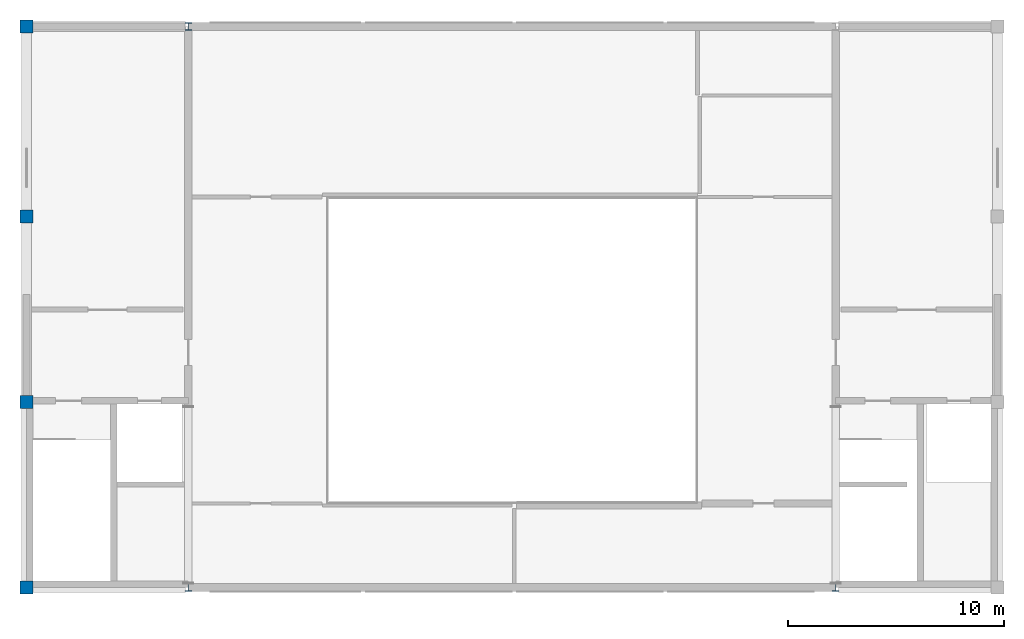
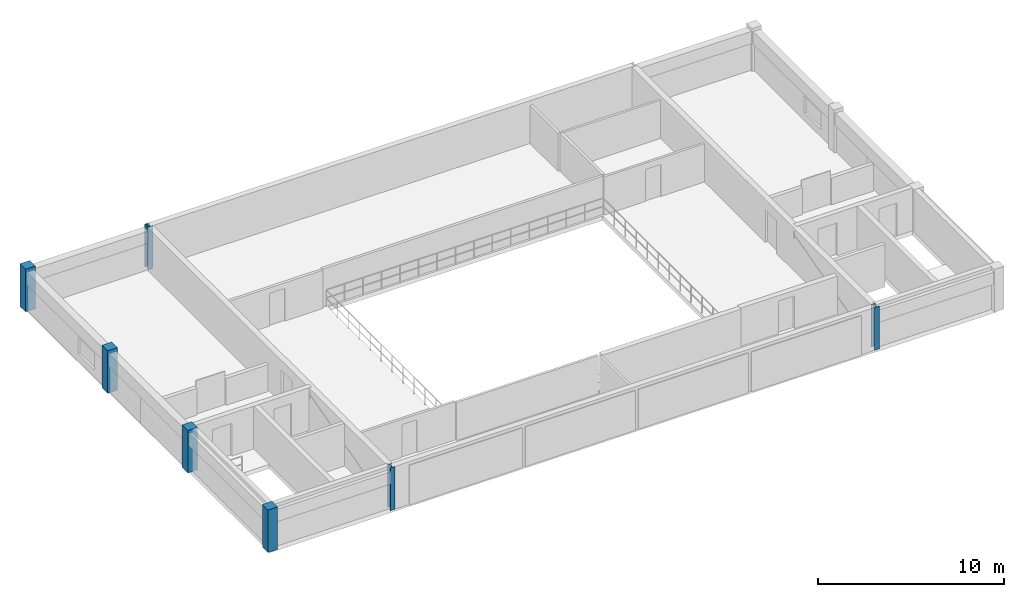
# One storey, part 1 of 6: 7 columns.
"""IFC4 building model written with IfcOpenShell, lengths in metres."""

from ifc_helpers import new_model, si_unit, direction, frame, origin, origin_2d, place, context, subcontext, project, spatial, rectangle, i_section, extrude, material, material_profile, profile_set, type_object, element, save


model = new_model("IFC4")

# Units and contexts
model_context = context("Model", 3, precision=1e-05, world=origin(), true_north=direction((0.0, 1.0)))
body_context = subcontext(model_context, "Body", "Model", "MODEL_VIEW")
ifc_project = project(units=[si_unit("LENGTHUNIT", "METRE"), si_unit("AREAUNIT", "SQUARE_METRE"), si_unit("VOLUMEUNIT", "CUBIC_METRE"), si_unit("PLANEANGLEUNIT", "RADIAN"), si_unit("MASSUNIT", "GRAM", prefix="KILO")], contexts=[model_context])

# Site, building, storey
site_placement = place(None, origin())
site = spatial("IfcSite", under=ifc_project, at=site_placement, CompositionType="ELEMENT")
building_placement = place(site_placement, origin())
building = spatial("IfcBuilding", under=site, at=building_placement, Name="Muzn Square Opera House", CompositionType="ELEMENT")
storey_placement = place(building_placement, frame((0.0, 0.0, 28.199951171875)))
storey = spatial("IfcBuildingStorey", under=building, at=storey_placement, Name="L06", CompositionType="ELEMENT", Elevation=28.199951171875)

# Columns
ifc_material_1 = material(Name="Concrete C45/55", Category="concrete")
ifc_material_profile_1 = material_profile(ifc_material_1, rectangle(XDim=0.60009765625, YDim=0.60009765625, at=origin_2d()), Name="RC 600x600", Category="concrete")
ifc_profile_set_1 = profile_set([ifc_material_profile_1], Name="Concrete C45/55")
column_type_1 = type_object("IfcColumnType", Name="Frame Column 600x600", PredefinedType="COLUMN", material=ifc_profile_set_1)
for number, where, z_axis, x_axis, name in (
    (1, (65.5, 72.60009765625, 0.0), (0.0, 0.0, 1.0), (1.0, 0.0, 0.0), "Column COL-L06-COL-600-655_726"),
    (2, (65.5, 81.199951171875, 0.0), (0.0, 0.0, 1.0), (1.0, 0.0, 0.0), "Column COL-L06-COL-600-655_812"),
    (3, (65.5, 89.800048828125, 0.0), (0.0, 0.0, 1.0), (1.0, 0.0, 0.0), "Column COL-L06-COL-600-655_898"),
    (4, (65.5, 98.60009765625, 0.0), (0.0, 0.0, 1.0), (1.0, 0.0, 0.0), "Column COL-L06-COL-600-655_986"),
):
    element("IfcColumn", number, at=place(storey_placement, frame(where, z_axis=z_axis, x_axis=x_axis)), inside=storey, type_object=column_type_1, Name=name, PredefinedType="COLUMN", context=body_context, shape_type="SweptSolid", body=[
        extrude(rectangle(XDim=0.60009765625, YDim=0.60009765625, at=origin_2d()), origin(), (0.0, 0.0, 1.0), 2.800048828125),
    ])
ifc_material_2 = material(Name="Steel S355", Category="steel")
ifc_material_profile_2 = material_profile(ifc_material_2, i_section(OverallWidth=0.300048828125, OverallDepth=0.360107421875, WebThickness=0.012451171875, FlangeThickness=0.0224609375, FilletRadius=0.027099609375, at=origin_2d()), Name="HEB 360", Category="steel")
ifc_profile_set_2 = profile_set([ifc_material_profile_2], Name="Steel S355")
column_type_2 = type_object("IfcColumnType", Name="Steel Gallery Column HEB360", PredefinedType="COLUMN", material=ifc_profile_set_2)
for number, where, z_axis, x_axis, name in (
    (5, (73.0, 72.60009765625, 0.0), (0.0, 0.0, 1.0), (1.0, 0.0, 0.0), "Column COL-L06-COL-HEB360-730_726"),
    (6, (73.0, 98.60009765625, 0.0), (0.0, 0.0, 1.0), (1.0, 0.0, 0.0), "Column COL-L06-COL-HEB360-730_986"),
    (7, (103.0, 72.60009765625, 0.0), (0.0, 0.0, 1.0), (1.0, 0.0, 0.0), "Column COL-L06-COL-HEB360-1030_726"),
):
    element("IfcColumn", number, at=place(storey_placement, frame(where, z_axis=z_axis, x_axis=x_axis)), inside=storey, type_object=column_type_2, Name=name, PredefinedType="COLUMN", context=body_context, shape_type="SweptSolid", body=[
        extrude(i_section(OverallWidth=0.300048828125, OverallDepth=0.360107421875, WebThickness=0.012451171875, FlangeThickness=0.0224609375, FilletRadius=0.027099609375, at=origin_2d()), origin(), (0.0, 0.0, 1.0), 2.800048828125),
    ])

save(model, "model.ifc")
